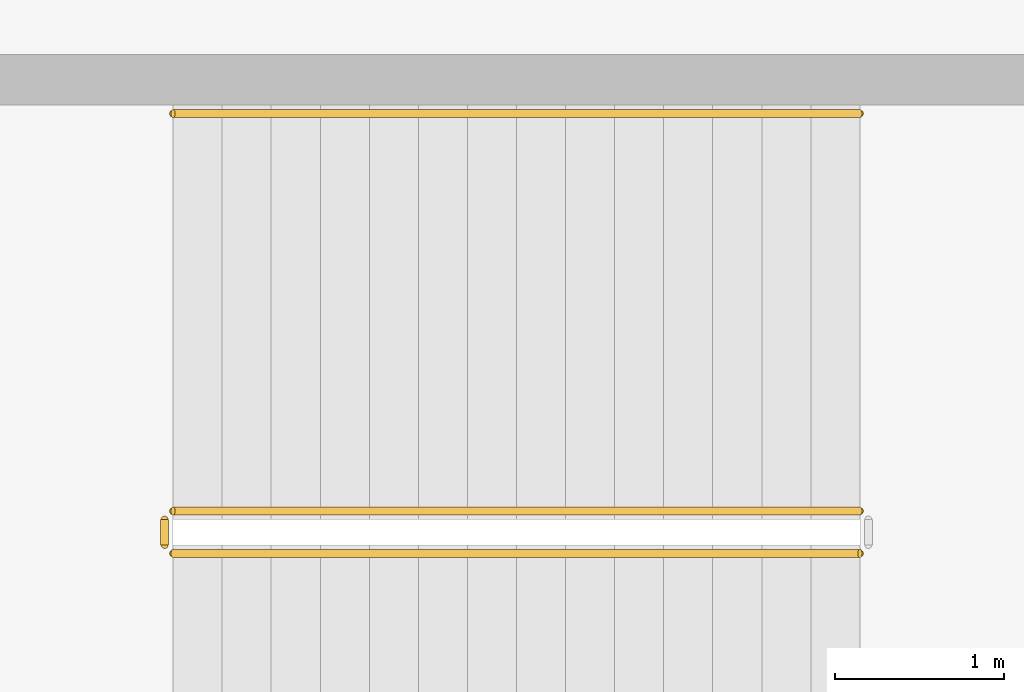
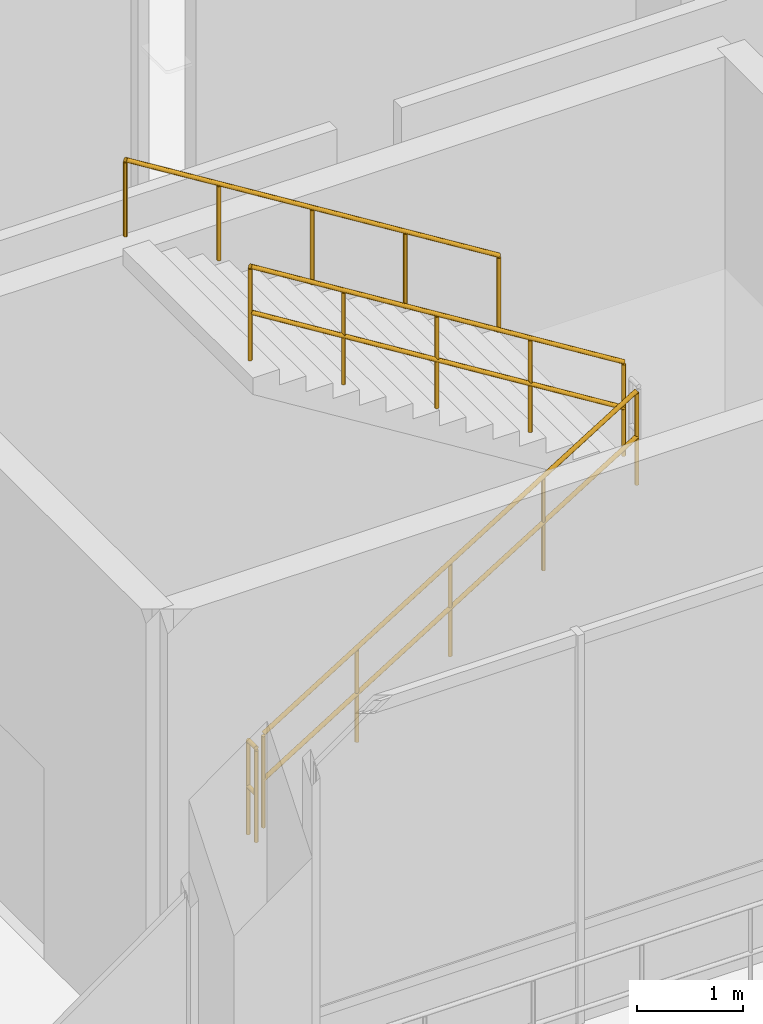
# One storey, part 101 of 114: 4 railings.
"""IFC4 building model written with IfcOpenShell, lengths in metres."""

import ifcopenshell
import ifcopenshell.guid

model = None  # the IFC model being written
_history = None  # IfcOwnerHistory: only IFC2X3 demands one
_inside = {}  # id of a spatial element -> (the spatial element, [elements in it])
_under = {}  # id of a project, library or spatial element -> (it, [spatial elements below it])
_declared = {}  # id of a project -> (the project, [libraries it declares])
_typed = {}  # id of a type object -> (the type object, [elements of that type])
_made_of = {}  # id of a material, layer set ... -> (it, [elements and type objects made of it])


def new_model(schema):
    """Start an empty IFC model of exactly this schema.

    Asked for "IFC4X3", IfcOpenShell would pick the latest addendum, in which some entities
    have other attributes; the version numbers below select the first issue.
    IFC2X3 requires an IfcOwnerHistory on every rooted entity: one is made here for all.
    """
    global model, _history
    if schema == "IFC4X3":
        model = ifcopenshell.file(schema_version=(4, 3, 0, 0))
    else:
        model = ifcopenshell.file(schema=schema)
    _inside.clear()
    _under.clear()
    _declared.clear()
    _typed.clear()
    _made_of.clear()
    _history = None
    if model.schema == "IFC2X3":
        org = make("IfcOrganization", Name="unknown")
        user = make(
            "IfcPersonAndOrganization",
            ThePerson=make("IfcPerson", FamilyName="unknown"),
            TheOrganization=org,
        )
        app = make(
            "IfcApplication",
            ApplicationDeveloper=org,
            Version="unknown",
            ApplicationFullName="unknown",
            ApplicationIdentifier="unknown",
        )
        _history = make(
            "IfcOwnerHistory",
            OwningUser=user,
            OwningApplication=app,
            ChangeAction="ADDED",
            CreationDate=0,
        )
    return model


def make(cls, **values):
    """One entity of the class cls with the attributes given. An attribute that is None is left unset."""
    return model.create_entity(
        cls, **{name: value for name, value in values.items() if value is not None}
    )


def rooted(cls, **values):
    """An entity with a GlobalId (a new one), such as an element, a storey or a relation."""
    return make(cls, GlobalId=ifcopenshell.guid.new(), OwnerHistory=_history, **values)


def si_unit(unit_type, name, prefix=None):
    """IfcSIUnit, for example si_unit("LENGTHUNIT", "METRE", prefix="MILLI")."""
    return make("IfcSIUnit", UnitType=unit_type, Prefix=prefix, Name=name)


def assignment(units):
    """IfcUnitAssignment: the units of a project."""
    return None if units is None else make("IfcUnitAssignment", Units=units)


def point(xyz):
    """IfcCartesianPoint."""
    return None if xyz is None else make("IfcCartesianPoint", Coordinates=xyz)


def direction(xyz):
    """IfcDirection."""
    return None if xyz is None else make("IfcDirection", DirectionRatios=xyz)


def frame(location, z_axis=None, x_axis=None):
    """IfcAxis2Placement3D, a coordinate frame: its origin and axes. An axis left out is left unset."""
    return make(
        "IfcAxis2Placement3D",
        Location=point(location),
        Axis=direction(z_axis),
        RefDirection=direction(x_axis),
    )


def frame_2d(location, x_axis=None):
    """IfcAxis2Placement2D, a coordinate frame in the plane: its origin and x axis."""
    return make(
        "IfcAxis2Placement2D", Location=point(location), RefDirection=direction(x_axis)
    )


def origin():
    """The frame at (0, 0, 0) with its axes left unset."""
    return frame((0.0, 0.0, 0.0))


def origin_2d():
    """The frame at (0, 0) in the plane with its x axis left unset."""
    return frame_2d((0.0, 0.0))


def place(relative_to, where):
    """IfcLocalPlacement: puts the frame where relative to a parent placement (None: the world)."""
    return make(
        "IfcLocalPlacement", PlacementRelTo=relative_to, RelativePlacement=where
    )


def context(
    kind, dimensions, precision=None, world=None, true_north=None, identifier=None
):
    """IfcGeometricRepresentationContext, for example the 3D "Model" context."""
    return make(
        "IfcGeometricRepresentationContext",
        ContextIdentifier=identifier,
        ContextType=kind,
        CoordinateSpaceDimension=dimensions,
        Precision=precision,
        WorldCoordinateSystem=world,
        TrueNorth=true_north,
    )


def subcontext(parent, identifier, kind, view, scale=None):
    """IfcGeometricRepresentationSubContext, for example "Body" below "Model"."""
    return make(
        "IfcGeometricRepresentationSubContext",
        ContextIdentifier=identifier,
        ContextType=kind,
        ParentContext=parent,
        TargetScale=scale,
        TargetView=view,
    )


def project(units=None, contexts=None):
    """IfcProject with its units and contexts."""
    return rooted(
        "IfcProject",
        Name="project",
        RepresentationContexts=contexts,
        UnitsInContext=assignment(units),
    )


def spatial(cls, under=None, at=None, **own):
    """A site, building, storey or space (cls), placed at a placement, below another one or the project."""
    s = rooted(cls, ObjectPlacement=at, **own)
    if under is not None:
        _under.setdefault(under.id(), (under, []))[1].append(s)
    return s


def profile(cls, at=None, kind="AREA", **sizes):
    """A parametric profile (cls). Its sizes go by their IFC names, for example OverallWidth=200.0."""
    return make(cls, ProfileType=kind, Position=at, **sizes)


def circle(**sizes):
    """IfcCircleProfileDef."""
    return profile("IfcCircleProfileDef", **sizes)


def extrude(swept, where, along, depth):
    """IfcExtrudedAreaSolid: the profile swept, set in the frame where, extruded along a direction by depth."""
    return make(
        "IfcExtrudedAreaSolid",
        SweptArea=swept,
        Position=where,
        ExtrudedDirection=direction(along),
        Depth=depth,
    )


def shape(context_of_items, identifier, shape_type, items):
    """IfcShapeRepresentation: the items that make up one representation, for example the "Body"."""
    return make(
        "IfcShapeRepresentation",
        ContextOfItems=context_of_items,
        RepresentationIdentifier=identifier,
        RepresentationType=shape_type,
        Items=items,
    )


def material(Name=None, Category=None):
    """IfcMaterial."""
    return make("IfcMaterial", Name=Name, Category=Category)


def layer(
    of_material, thickness, ventilated=None, Name=None, Category=None, Priority=None
):
    """IfcMaterialLayer: one layer of a wall or slab, of a material (None: an air gap)."""
    return make(
        "IfcMaterialLayer",
        Material=of_material,
        LayerThickness=thickness,
        IsVentilated=ventilated,
        Name=Name,
        Category=Category,
        Priority=Priority,
    )


def layer_set(layers, Name=None):
    """IfcMaterialLayerSet."""
    return make("IfcMaterialLayerSet", MaterialLayers=layers, LayerSetName=Name)


def made_of(thing, what):
    """Note that an element or type object is made of a material, layer set ...; save() writes the relation."""
    if what is not None:
        _made_of.setdefault(what.id(), (what, []))[1].append(thing)
    return thing


def type_object(cls, material=None, **own):
    """A type object (cls), such as IfcWallType, which elements share."""
    return made_of(rooted(cls, **own), material)


def element(
    cls,
    number,
    at=None,
    inside=None,
    cuts=None,
    type_object=None,
    material=None,
    context=None,
    identifier="Body",
    shape_type=None,
    held_by="IfcProductDefinitionShape",
    body=None,
    shapes=None,
    **own,
):
    """One element of the class cls, such as IfcWall. Its Tag is "e" and its number.

    at: its placement. inside: the storey or other place that contains it. cuts: it is an
    opening in that element (IfcRelVoidsElement). A single representation is given by context,
    identifier, shape_type and body (its items); several are given by shapes. held_by: the class
    of the entity that holds the representations. save() writes the other relations.
    """
    e = rooted(cls, Tag="e%d" % number, ObjectPlacement=at, **own)
    if body is not None:
        shapes = [shape(context, identifier, shape_type, body)]
    if shapes is not None:
        e.Representation = make(held_by, Representations=shapes)
    if inside is not None:
        _inside.setdefault(inside.id(), (inside, []))[1].append(e)
    if cuts is not None:
        rooted(
            "IfcRelVoidsElement", RelatingBuildingElement=cuts, RelatedOpeningElement=e
        )
    if type_object is not None:
        _typed.setdefault(type_object.id(), (type_object, []))[1].append(e)
    return made_of(e, material)


def aggregate(whole, parts):
    """IfcRelAggregates: a whole, such as a stair, and the parts it consists of."""
    return rooted("IfcRelAggregates", RelatingObject=whole, RelatedObjects=parts)


def save(model, path):
    """Write the relations noted so far, then the file.

    IfcRelAggregates (storeys below a building ...), IfcRelContainedInSpatialStructure (elements
    in a storey), IfcRelDefinesByType, IfcRelAssociatesMaterial and IfcRelDeclares: one each for
    every whole, place, type object, material and project.
    """
    for whole, parts in _under.values():
        aggregate(whole, parts)
    for where, things in _inside.values():
        rooted(
            "IfcRelContainedInSpatialStructure",
            RelatedElements=things,
            RelatingStructure=where,
        )
    for kind, things in _typed.values():
        rooted("IfcRelDefinesByType", RelatedObjects=things, RelatingType=kind)
    for what, things in _made_of.values():
        rooted("IfcRelAssociatesMaterial", RelatedObjects=things, RelatingMaterial=what)
    for by, libraries in _declared.values():
        rooted("IfcRelDeclares", RelatingContext=by, RelatedDefinitions=libraries)
    model.write(path)


model = new_model("IFC4")

# Units and contexts
model_context = context("Model", 3, precision=1e-05, world=origin(), true_north=direction((0.0, 1.0)))
body_context = subcontext(model_context, "Body", "Model", "MODEL_VIEW")
ifc_project = project(units=[si_unit("LENGTHUNIT", "METRE"), si_unit("AREAUNIT", "SQUARE_METRE"), si_unit("VOLUMEUNIT", "CUBIC_METRE"), si_unit("PLANEANGLEUNIT", "RADIAN"), si_unit("MASSUNIT", "GRAM", prefix="KILO")], contexts=[model_context])

# Site, building, storey
site_placement = place(None, origin())
site = spatial("IfcSite", under=ifc_project, at=site_placement, CompositionType="ELEMENT")
building_placement = place(site_placement, origin())
building = spatial("IfcBuilding", under=site, at=building_placement, Name="Candeia Ridge Stadium", CompositionType="ELEMENT")
storey_placement = place(building_placement, frame((0.0, 0.0, 5.39990234375)))
storey = spatial("IfcBuildingStorey", under=building, at=storey_placement, Name="L01", CompositionType="ELEMENT", Elevation=5.39990234375)

# Railings
ifc_material_1 = material(Name="Brushed Stainless Steel", Category="steel")
ifc_layer_1 = layer(ifc_material_1, 0.048095703125, Name="Brushed Stainless Steel", Category="steel")
ifc_layer_set_1 = layer_set([ifc_layer_1], Name="Brushed Stainless Steel")
railing_type_1 = type_object("IfcRailingType", Name="Stair Wall & Flight Handrail 900", PredefinedType="HANDRAIL", material=ifc_layer_set_1)
railing_1_placement = place(storey_placement, frame((153.010009765625, 7.199951171875, 2.880126953125)))
element("IfcRailing", 1, at=railing_1_placement, inside=storey, type_object=railing_type_1, Name="L01 ST14 stair handrail 2", PredefinedType="HANDRAIL", context=body_context, shape_type="SweptSolid", body=[
    extrude(circle(Radius=0.02392578125, at=origin_2d()), frame((0.0, 0.0, 0.8759765625), z_axis=(-0.849641744969, 0.0, 0.527360318194), x_axis=(0.0, -1.0, 0.0)), (0.0, 0.0, 1.0), 4.778564453125),
    extrude(circle(Radius=0.02099609375, at=origin_2d()), origin(), (0.0, 0.0, 1.0), 0.851806640625),
    extrude(circle(Radius=0.02099609375, at=origin_2d()), frame((-1.01513671875, 0.0, 0.6298828125)), (0.0, 0.0, 1.0), 0.851806640625),
    extrude(circle(Radius=0.02099609375, at=origin_2d()), frame((-2.030029296875, 0.0, 1.260009765625)), (0.0, 0.0, 1.0), 0.851806640625),
    extrude(circle(Radius=0.02099609375, at=origin_2d()), frame((-3.044921875, 0.0, 1.89013671875)), (0.0, 0.0, 1.0), 0.851806640625),
    extrude(circle(Radius=0.02099609375, at=origin_2d()), frame((-4.06005859375, 0.0, 2.52001953125)), (0.0, 0.0, 1.0), 0.851806640625),
])
ifc_material_2 = material(Name="Galvanized Powder-Coated Steel", Category="steel")
ifc_layer_2 = layer(ifc_material_2, 0.06005859375, Name="Galvanized Powder-Coated Steel", Category="steel")
ifc_layer_set_2 = layer_set([ifc_layer_2], Name="Galvanized Powder-Coated Steel")
railing_type_2 = type_object("IfcRailingType", Name="Stair Well Guardrail 1100", PredefinedType="GUARDRAIL", material=ifc_layer_set_2)
railing_2_placement = place(storey_placement, frame((148.949951171875, 4.60009765625, 0.18017578125)))
element("IfcRailing", 2, at=railing_2_placement, inside=storey, type_object=railing_type_2, Name="L01 ST14 stair guard 1", PredefinedType="GUARDRAIL", context=body_context, shape_type="SweptSolid", body=[
    extrude(circle(Radius=0.02392578125, at=origin_2d()), frame((0.0, 0.0, 1.076171875), z_axis=(0.849641744969, 0.0, 0.527360318194), x_axis=(0.0, 1.0, 0.0)), (0.0, 0.0, 1.0), 4.778564453125),
    extrude(circle(Radius=0.02392578125, at=origin_2d()), frame((0.0, 0.0, 0.550048828125), z_axis=(0.849641744969, 0.0, 0.527360318194), x_axis=(0.0, 1.0, 0.0)), (0.0, 0.0, 1.0), 4.778564453125),
    extrude(circle(Radius=0.02099609375, at=origin_2d()), origin(), (0.0, 0.0, 1.0), 1.052001953125),
    extrude(circle(Radius=0.02099609375, at=origin_2d()), frame((1.01513671875, 0.0, 0.6298828125)), (0.0, 0.0, 1.0), 1.052001953125),
    extrude(circle(Radius=0.02099609375, at=origin_2d()), frame((2.030029296875, 0.0, 1.260009765625)), (0.0, 0.0, 1.0), 1.052001953125),
    extrude(circle(Radius=0.02099609375, at=origin_2d()), frame((3.044921875, 0.0, 1.89013671875)), (0.0, 0.0, 1.0), 1.052001953125),
    extrude(circle(Radius=0.02099609375, at=origin_2d()), frame((4.06005859375, 0.0, 2.52001953125)), (0.0, 0.0, 1.0), 1.052001953125),
])
railing_3_placement = place(storey_placement, frame((153.010009765625, 4.85009765625, 2.880126953125)))
element("IfcRailing", 3, at=railing_3_placement, inside=storey, type_object=railing_type_2, Name="L01 ST14 stair guard 3", PredefinedType="GUARDRAIL", context=body_context, shape_type="SweptSolid", body=[
    extrude(circle(Radius=0.02392578125, at=origin_2d()), frame((0.0, 0.0, 1.076171875), z_axis=(-0.849641744969, 0.0, 0.527360318194), x_axis=(0.0, -1.0, 0.0)), (0.0, 0.0, 1.0), 4.778564453125),
    extrude(circle(Radius=0.02392578125, at=origin_2d()), frame((0.0, 0.0, 0.550048828125), z_axis=(-0.849641744969, 0.0, 0.527360318194), x_axis=(0.0, -1.0, 0.0)), (0.0, 0.0, 1.0), 4.778564453125),
    extrude(circle(Radius=0.02099609375, at=origin_2d()), origin(), (0.0, 0.0, 1.0), 1.052001953125),
    extrude(circle(Radius=0.02099609375, at=origin_2d()), frame((-1.01513671875, 0.0, 0.6298828125)), (0.0, 0.0, 1.0), 1.052001953125),
    extrude(circle(Radius=0.02099609375, at=origin_2d()), frame((-2.030029296875, 0.0, 1.260009765625)), (0.0, 0.0, 1.0), 1.052001953125),
    extrude(circle(Radius=0.02099609375, at=origin_2d()), frame((-3.044921875, 0.0, 1.89013671875)), (0.0, 0.0, 1.0), 1.052001953125),
    extrude(circle(Radius=0.02099609375, at=origin_2d()), frame((-4.06005859375, 0.0, 2.52001953125)), (0.0, 0.0, 1.0), 1.052001953125),
])
railing_4_placement = place(storey_placement, frame((148.89990234375, 4.64990234375, 0.0)))
element("IfcRailing", 4, at=railing_4_placement, inside=storey, type_object=railing_type_2, Name="L01 ST14 stair guard 4", PredefinedType="GUARDRAIL", context=body_context, shape_type="SweptSolid", body=[
    extrude(circle(Radius=0.02392578125, at=origin_2d()), frame((0.0, 0.0, 1.076171875), z_axis=(0.0, 1.0, 0.0), x_axis=(-1.0, 0.0, 0.0)), (0.0, 0.0, 1.0), 0.150146484375),
    extrude(circle(Radius=0.02392578125, at=origin_2d()), frame((0.0, 0.0, 0.550048828125), z_axis=(0.0, 1.0, 0.0), x_axis=(-1.0, 0.0, 0.0)), (0.0, 0.0, 1.0), 0.150146484375),
    extrude(circle(Radius=0.02099609375, at=origin_2d()), origin(), (0.0, 0.0, 1.0), 1.052001953125),
    extrude(circle(Radius=0.02099609375, at=origin_2d()), frame((0.0, 0.150146484375, 0.0)), (0.0, 0.0, 1.0), 1.052001953125),
])

save(model, "model.ifc")
